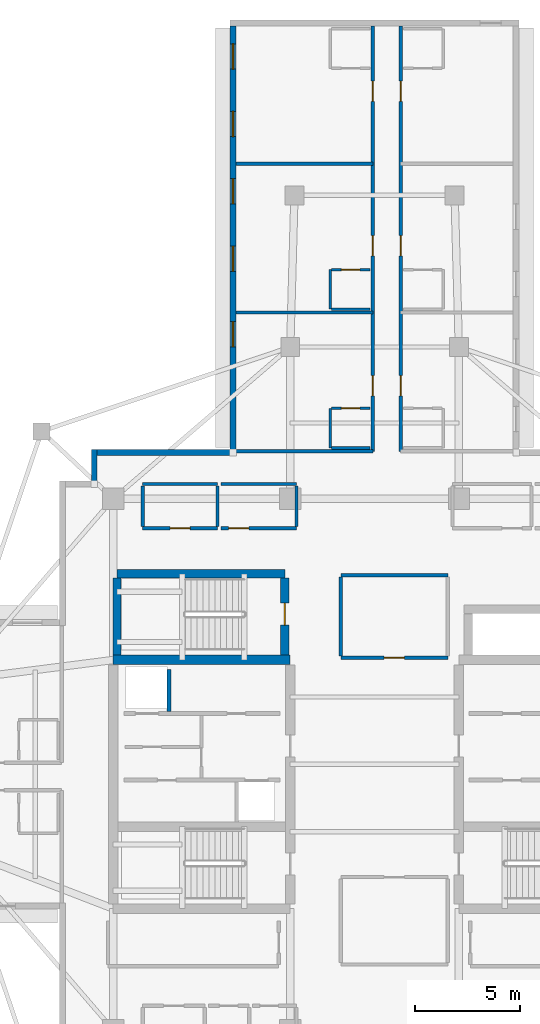
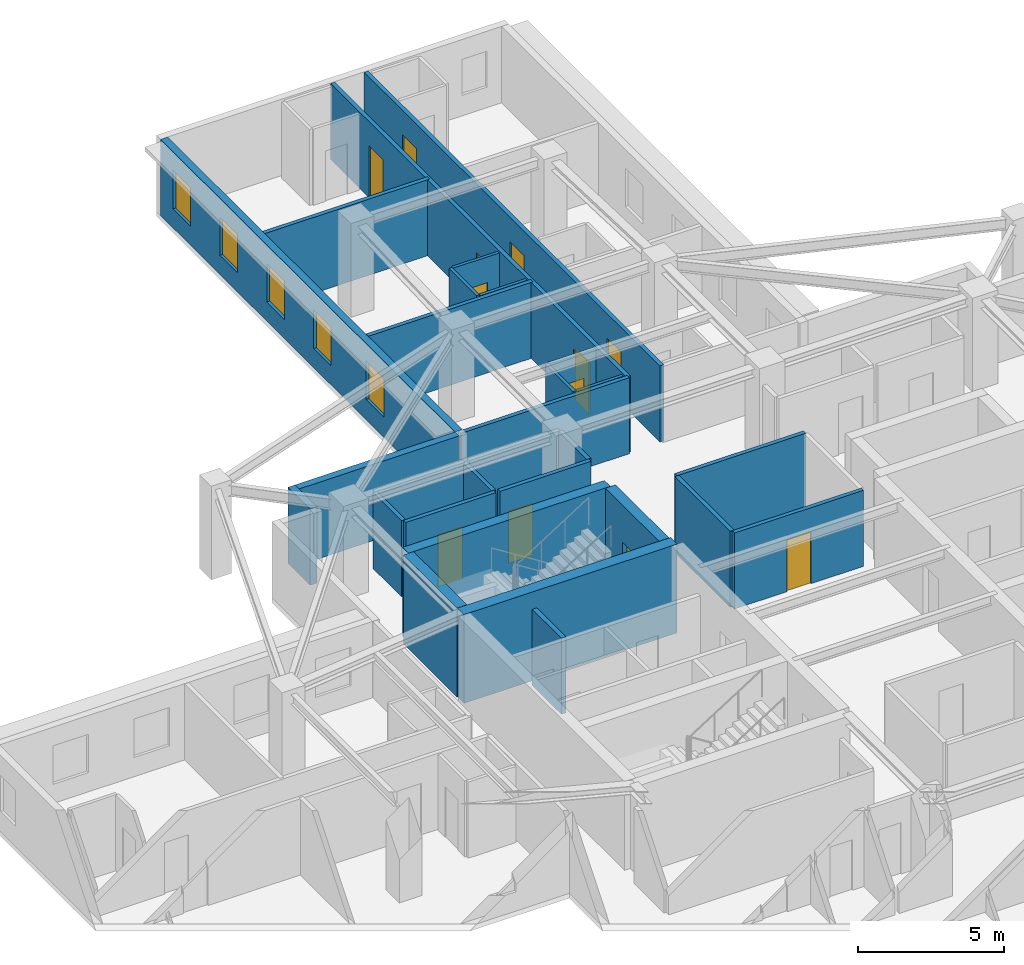
# One storey, part 7 of 13: 29 walls, 12 doors, 5 windows, 17 openings.
"""IFC4 building model written with IfcOpenShell, lengths in metres."""

from ifc_helpers import new_model, si_unit, direction, frame, frame_2d, origin, place, context, subcontext, project, spatial, rectangle, extrude, material, layer, layer_set, type_object, element, fill, save


model = new_model("IFC4")

# Units and contexts
model_context = context("Model", 3, precision=1e-05, world=origin(), true_north=direction((0.0, 1.0)))
body_context = subcontext(model_context, "Body", "Model", "MODEL_VIEW")
ifc_project = project(units=[si_unit("LENGTHUNIT", "METRE"), si_unit("AREAUNIT", "SQUARE_METRE"), si_unit("VOLUMEUNIT", "CUBIC_METRE"), si_unit("PLANEANGLEUNIT", "RADIAN"), si_unit("MASSUNIT", "GRAM", prefix="KILO")], contexts=[model_context])

# Site, building, storey
site_placement = place(None, origin())
site = spatial("IfcSite", under=ifc_project, at=site_placement, CompositionType="ELEMENT")
building_placement = place(site_placement, origin())
building = spatial("IfcBuilding", under=site, at=building_placement, Name="Qingluan Cross Belvedere", CompositionType="ELEMENT")
storey_placement = place(building_placement, frame((0.0, 0.0, 224.699951171875)))
storey = spatial("IfcBuildingStorey", under=building, at=storey_placement, Name="L56", CompositionType="ELEMENT", Elevation=224.699951171875)

# Walls
ifc_material_1 = material(Name="Concrete C50", Category="concrete")
ifc_layer_1 = layer(ifc_material_1, 0.449951171875, Name="CoreShearWall_450")
ifc_layer_set_1 = layer_set([ifc_layer_1], Name="Concrete C50")
wall_type_1 = type_object("IfcWallType", Name="CoreShearWall_450", PredefinedType="SHEAR", material=ifc_layer_set_1)
wall_1_placement = place(storey_placement, frame((-12.39990234375, 4.949951171875, 0.0), z_axis=(0.0, 0.0, 1.0), x_axis=(1.0, 0.0, 0.0)))
element("IfcWall", 1, at=wall_1_placement, inside=storey, type_object=wall_type_1, Name="Split core W shear wall L56-N", PredefinedType="SHEAR", context=body_context, shape_type="SweptSolid", body=[
    extrude(rectangle(XDim=8.39990234375, YDim=0.449951171875, at=frame_2d((4.199951171875, 0.0))), origin(), (0.0, 0.0, 1.0), 3.699951171875),
])
wall_2_placement = place(storey_placement, frame((-12.219970703125, 9.0400390625, 0.0), z_axis=(0.0, 0.0, 1.0), x_axis=(1.0, 0.0, 0.0)))
element("IfcWall", 2, at=wall_2_placement, inside=storey, type_object=wall_type_1, Name="Stair ST3 structural wall N L56", PredefinedType="SHEAR", context=body_context, shape_type="SweptSolid", body=[
    extrude(rectangle(XDim=7.9599609375, YDim=0.39990234375, at=frame_2d((3.97998046875, 0.0))), origin(), (0.0, 0.0, 1.0), 3.699951171875),
])
wall_3_placement = place(storey_placement, frame((-12.219970703125, 5.179931640625, 0.0), z_axis=(0.0, 0.0, 1.0), x_axis=(0.0, 1.0, 0.0)))
element("IfcWall", 3, at=wall_3_placement, inside=storey, type_object=wall_type_1, Name="Stair ST3 structural wall W L56", PredefinedType="SHEAR", context=body_context, shape_type="SweptSolid", body=[
    extrude(rectangle(XDim=3.655029296875, YDim=0.39990234375, at=frame_2d((1.82763671875, 0.0))), origin(), (0.0, 0.0, 1.0), 3.699951171875),
])

# Wall, opening, door
wall_4_placement = place(storey_placement, frame((-4.260009765625, 5.179931640625, 0.0), z_axis=(0.0, 0.0, 1.0), x_axis=(0.0, 1.0, 0.0)))
wall_4 = element("IfcWall", 4, at=wall_4_placement, inside=storey, type_object=wall_type_1, Name="Stair ST3 structural wall E L56", PredefinedType="SHEAR", context=body_context, shape_type="SweptSolid", body=[
    extrude(rectangle(XDim=3.655029296875, YDim=0.39990234375, at=frame_2d((1.82763671875, 0.0))), origin(), (0.0, 0.0, 1.0), 3.699951171875),
])
opening_1_placement = place(wall_4_placement, frame((1.419921875, 0.0, 0.0)))
opening_1 = element("IfcOpeningElement", 5, at=opening_1_placement, cuts=wall_4, Name="Opening FD-B11", PredefinedType="OPENING", context=body_context, shape_type="SweptSolid", body=[
    extrude(rectangle(XDim=1.050048828125, YDim=2.14990234375, at=frame_2d((0.52490234375, 1.074951171875))), frame((0.0, 0.2099609375, 0.0), z_axis=(0.0, -1.0, 0.0), x_axis=(1.0, 0.0, 0.0)), (0.0, 0.0, 1.0), 0.419921875),
])
ifc_material_2 = material(Name="Steel Class B smoke-seal fire door", Category="steel")
door_type_1 = type_object("IfcDoorType", Name="StairLobbyFireDoor_FDB", OperationType="NOTDEFINED", PredefinedType="DOOR", material=ifc_material_2)
door_1_placement = place(opening_1_placement, origin())
door_1 = element("IfcDoor", 6, at=door_1_placement, inside=storey, type_object=door_type_1, Name="Smoke-proof stair ST3 fire door L56", OperationType="SINGLE_SWING_RIGHT", OverallHeight=2.14990234375, OverallWidth=1.050048828125, PredefinedType="DOOR", context=body_context, shape_type="SweptSolid", body=[
    extrude(rectangle(XDim=1.050048828125, YDim=2.14990234375, at=frame_2d((0.52490234375, 1.074951171875))), frame((0.0, 0.02490234375, 0.0), z_axis=(0.0, -1.0, 0.0), x_axis=(1.0, 0.0, 0.0)), (0.0, 0.0, 1.0), 0.050048828125),
])
fill(opening_1, door_1)

ifc_material_3 = material(Name="Gypsum plasterboard on steel stud acoustic partition", Category="steel")
ifc_layer_2 = layer(ifc_material_3, 0.159912109375, Name="CorridorPartition_160")
ifc_layer_set_2 = layer_set([ifc_layer_2], Name="Gypsum plasterboard on steel stud acoustic partition")
wall_type_2 = type_object("IfcWallType", Name="CorridorPartition_160", PredefinedType="PARTITIONING", material=ifc_layer_set_2)
wall_5_placement = place(storey_placement, frame((-11.0, 11.199951171875, 0.0), z_axis=(0.0, 0.0, 1.0), x_axis=(1.0, 0.0, 0.0)))
wall_5 = element("IfcWall", 7, at=wall_5_placement, inside=storey, type_object=wall_type_2, Name="Partition L56:q_nw1:S", PredefinedType="PARTITIONING", context=body_context, shape_type="SweptSolid", body=[
    extrude(rectangle(XDim=3.550048828125, YDim=0.159912109375, at=frame_2d((1.77490234375, 0.0))), origin(), (0.0, 0.0, 1.0), 3.170166015625),
])
opening_2_placement = place(wall_5_placement, frame((1.294921875, 0.0, 0.0)))
opening_2 = element("IfcOpeningElement", 8, at=opening_2_placement, cuts=wall_5, Name="Opening GD-10", PredefinedType="OPENING", context=body_context, shape_type="SweptSolid", body=[
    extrude(rectangle(XDim=0.9599609375, YDim=2.14990234375, at=frame_2d((0.47998046875, 1.074951171875))), frame((0.0, 0.08984375, 0.0), z_axis=(0.0, -1.0, 0.0), x_axis=(1.0, 0.0, 0.0)), (0.0, 0.0, 1.0), 0.179931640625),
])
ifc_material_4 = material(Name="Timber oak fire-rated acoustic guestroom door", Category="wood")
door_type_2 = type_object("IfcDoorType", Name="GuestEntryDoor_FD60", OperationType="NOTDEFINED", PredefinedType="DOOR", material=ifc_material_4)
door_2_placement = place(opening_2_placement, origin())
door_2 = element("IfcDoor", 9, at=door_2_placement, inside=storey, type_object=door_type_2, Name="Northwest sky parlor L56 door", OperationType="SINGLE_SWING_RIGHT", OverallHeight=2.14990234375, OverallWidth=0.9599609375, PredefinedType="DOOR", context=body_context, shape_type="SweptSolid", body=[
    extrude(rectangle(XDim=0.9599609375, YDim=2.14990234375, at=frame_2d((0.47998046875, 1.074951171875))), frame((0.0, 0.02490234375, 0.0), z_axis=(0.0, -1.0, 0.0), x_axis=(1.0, 0.0, 0.0)), (0.0, 0.0, 1.0), 0.050048828125),
])
fill(opening_2, door_2)

# Walls
wall_6_placement = place(storey_placement, frame((-11.0, 13.300048828125, 0.0), z_axis=(0.0, 0.0, 1.0), x_axis=(1.0, 0.0, 0.0)))
element("IfcWall", 10, at=wall_6_placement, inside=storey, type_object=wall_type_2, Name="Partition L56:q_nw1:N", PredefinedType="PARTITIONING", context=body_context, shape_type="SweptSolid", body=[
    extrude(rectangle(XDim=3.550048828125, YDim=0.159912109375, at=frame_2d((1.77490234375, 0.0))), origin(), (0.0, 0.0, 1.0), 3.170166015625),
])
for number, where, z_axis, x_axis, name in (
    (11, (-11.0, 11.284912109375, 0.0), (0.0, 0.0, 1.0), (0.0, 1.0, 0.0), "Partition L56:q_nw1:W"),
    (12, (-7.449951171875, 11.284912109375, 0.0), (0.0, 0.0, 1.0), (0.0, 1.0, 0.0), "Partition L56:q_nw1:E"),
):
    element("IfcWall", number, at=place(storey_placement, frame(where, z_axis=z_axis, x_axis=x_axis)), inside=storey, type_object=wall_type_2, Name=name, PredefinedType="PARTITIONING", context=body_context, shape_type="SweptSolid", body=[
        extrude(rectangle(XDim=1.93017578125, YDim=0.159912109375, at=frame_2d((0.965087890625, 0.0))), origin(), (0.0, 0.0, 1.0), 3.170166015625),
    ])

# Wall, opening, door
wall_7_placement = place(storey_placement, frame((-7.2900390625, 11.199951171875, 0.0), z_axis=(0.0, 0.0, 1.0), x_axis=(1.0, 0.0, 0.0)))
wall_7 = element("IfcWall", 13, at=wall_7_placement, inside=storey, type_object=wall_type_2, Name="Partition L56:q_nw2:S", PredefinedType="PARTITIONING", context=body_context, shape_type="SweptSolid", body=[
    extrude(rectangle(XDim=3.590087890625, YDim=0.159912109375, at=frame_2d((1.794921875, 0.0))), origin(), (0.0, 0.0, 1.0), 3.170166015625),
])
opening_3_placement = place(wall_7_placement, frame((0.364990234375, 0.0, 0.0)))
opening_3 = element("IfcOpeningElement", 14, at=opening_3_placement, cuts=wall_7, Name="Opening GD-10", PredefinedType="OPENING", context=body_context, shape_type="SweptSolid", body=[
    extrude(rectangle(XDim=0.9599609375, YDim=2.14990234375, at=frame_2d((0.47998046875, 1.074951171875))), frame((0.0, 0.08984375, 0.0), z_axis=(0.0, -1.0, 0.0), x_axis=(1.0, 0.0, 0.0)), (0.0, 0.0, 1.0), 0.179931640625),
])
door_3_placement = place(opening_3_placement, origin())
door_3 = element("IfcDoor", 15, at=door_3_placement, inside=storey, type_object=door_type_2, Name="Northwest study salon L56 door", OperationType="SINGLE_SWING_LEFT", OverallHeight=2.14990234375, OverallWidth=0.9599609375, PredefinedType="DOOR", context=body_context, shape_type="SweptSolid", body=[
    extrude(rectangle(XDim=0.9599609375, YDim=2.14990234375, at=frame_2d((0.47998046875, 1.074951171875))), frame((0.0, 0.02490234375, 0.0), z_axis=(0.0, -1.0, 0.0), x_axis=(1.0, 0.0, 0.0)), (0.0, 0.0, 1.0), 0.050048828125),
])
fill(opening_3, door_3)

# Walls
wall_8_placement = place(storey_placement, frame((-7.2900390625, 13.300048828125, 0.0), z_axis=(0.0, 0.0, 1.0), x_axis=(1.0, 0.0, 0.0)))
element("IfcWall", 16, at=wall_8_placement, inside=storey, type_object=wall_type_2, Name="Partition L56:q_nw2:N", PredefinedType="PARTITIONING", context=body_context, shape_type="SweptSolid", body=[
    extrude(rectangle(XDim=3.590087890625, YDim=0.159912109375, at=frame_2d((1.794921875, 0.0))), origin(), (0.0, 0.0, 1.0), 3.170166015625),
])
wall_9_placement = place(storey_placement, frame((-3.699951171875, 11.284912109375, 0.0), z_axis=(0.0, 0.0, 1.0), x_axis=(0.0, 1.0, 0.0)))
element("IfcWall", 17, at=wall_9_placement, inside=storey, type_object=wall_type_2, Name="Partition L56:q_nw2:E", PredefinedType="PARTITIONING", context=body_context, shape_type="SweptSolid", body=[
    extrude(rectangle(XDim=1.93017578125, YDim=0.159912109375, at=frame_2d((0.965087890625, 0.0))), origin(), (0.0, 0.0, 1.0), 3.170166015625),
])

# Wall, opening, door
wall_10_placement = place(storey_placement, frame((-1.60009765625, 5.050048828125, 0.0), z_axis=(0.0, 0.0, 1.0), x_axis=(1.0, 0.0, 0.0)))
wall_10 = element("IfcWall", 18, at=wall_10_placement, inside=storey, type_object=wall_type_2, Name="Partition L56:sky_tea_alcove:S", PredefinedType="PARTITIONING", context=body_context, shape_type="SweptSolid", body=[
    extrude(rectangle(XDim=5.080078125, YDim=0.159912109375, at=frame_2d((2.5400390625, 0.0))), origin(), (0.0, 0.0, 1.0), 3.170166015625),
])
opening_4_placement = place(wall_10_placement, frame((2.06005859375, 0.0, 0.0)))
opening_4 = element("IfcOpeningElement", 19, at=opening_4_placement, cuts=wall_10, Name="Opening GD-10", PredefinedType="OPENING", context=body_context, shape_type="SweptSolid", body=[
    extrude(rectangle(XDim=0.9599609375, YDim=2.14990234375, at=frame_2d((0.47998046875, 1.074951171875))), frame((0.0, 0.08984375, 0.0), z_axis=(0.0, -1.0, 0.0), x_axis=(1.0, 0.0, 0.0)), (0.0, 0.0, 1.0), 0.179931640625),
])
door_4_placement = place(opening_4_placement, origin())
door_4 = element("IfcDoor", 20, at=door_4_placement, inside=storey, type_object=door_type_2, Name="Sky horizon tea salon L56 door", OperationType="SINGLE_SWING_LEFT", OverallHeight=2.14990234375, OverallWidth=0.9599609375, PredefinedType="DOOR", context=body_context, shape_type="SweptSolid", body=[
    extrude(rectangle(XDim=0.9599609375, YDim=2.14990234375, at=frame_2d((0.47998046875, 1.074951171875))), frame((0.0, 0.02490234375, 0.0), z_axis=(0.0, -1.0, 0.0), x_axis=(1.0, 0.0, 0.0)), (0.0, 0.0, 1.0), 0.050048828125),
])
fill(opening_4, door_4)

# Walls
wall_11_placement = place(storey_placement, frame((-1.60009765625, 8.97998046875, 0.0), z_axis=(0.0, 0.0, 1.0), x_axis=(1.0, 0.0, 0.0)))
element("IfcWall", 21, at=wall_11_placement, inside=storey, type_object=wall_type_2, Name="Partition L56:sky_tea_alcove:N", PredefinedType="PARTITIONING", context=body_context, shape_type="SweptSolid", body=[
    extrude(rectangle(XDim=5.080078125, YDim=0.159912109375, at=frame_2d((2.5400390625, 0.0))), origin(), (0.0, 0.0, 1.0), 3.170166015625),
])
wall_12_placement = place(storey_placement, frame((-1.60009765625, 5.135009765625, 0.0), z_axis=(0.0, 0.0, 1.0), x_axis=(0.0, 1.0, 0.0)))
element("IfcWall", 22, at=wall_12_placement, inside=storey, type_object=wall_type_2, Name="Partition L56:sky_tea_alcove:W", PredefinedType="PARTITIONING", context=body_context, shape_type="SweptSolid", body=[
    extrude(rectangle(XDim=3.760009765625, YDim=0.159912109375, at=frame_2d((1.8798828125, 0.0))), origin(), (0.0, 0.0, 1.0), 3.170166015625),
])

# Wall, openings, doors
wall_13_placement = place(storey_placement, frame((1.239990234375, 14.85009765625, 0.0), z_axis=(0.0, 0.0, 1.0), x_axis=(0.0, 1.0, 0.0)))
wall_13 = element("IfcWall", 23, at=wall_13_placement, inside=storey, type_object=wall_type_2, Name="Partition L56:N:c0", PredefinedType="PARTITIONING", context=body_context, shape_type="SweptSolid", body=[
    extrude(rectangle(XDim=20.181884765625, YDim=0.159912109375, at=frame_2d((10.0908203125, 0.0))), origin(), (0.0, 0.0, 1.0), 3.170166015625),
])
opening_5_placement = place(wall_13_placement, frame((2.638916015625, 0.0, 0.0)))
opening_5 = element("IfcOpeningElement", 24, at=opening_5_placement, cuts=wall_13, Name="Opening GD-10", PredefinedType="OPENING", context=body_context, shape_type="SweptSolid", body=[
    extrude(rectangle(XDim=0.9599609375, YDim=2.14990234375, at=frame_2d((0.47998046875, 1.074951171875))), frame((0.0, 0.08984375, 0.0), z_axis=(0.0, -1.0, 0.0), x_axis=(1.0, 0.0, 0.0)), (0.0, 0.0, 1.0), 0.179931640625),
])
opening_6_placement = place(wall_13_placement, frame((9.27294921875, 0.0, 0.0)))
opening_6 = element("IfcOpeningElement", 25, at=opening_6_placement, cuts=wall_13, Name="Opening GD-10", PredefinedType="OPENING", context=body_context, shape_type="SweptSolid", body=[
    extrude(rectangle(XDim=0.9599609375, YDim=2.14990234375, at=frame_2d((0.47998046875, 1.074951171875))), frame((0.0, 0.08984375, 0.0), z_axis=(0.0, -1.0, 0.0), x_axis=(1.0, 0.0, 0.0)), (0.0, 0.0, 1.0), 0.179931640625),
])
opening_7_placement = place(wall_13_placement, frame((16.614013671875, 0.0, 0.0)))
opening_7 = element("IfcOpeningElement", 26, at=opening_7_placement, cuts=wall_13, Name="Opening GD-10", PredefinedType="OPENING", context=body_context, shape_type="SweptSolid", body=[
    extrude(rectangle(XDim=0.9599609375, YDim=2.14990234375, at=frame_2d((0.47998046875, 1.074951171875))), frame((0.0, 0.08984375, 0.0), z_axis=(0.0, -1.0, 0.0), x_axis=(1.0, 0.0, 0.0)), (0.0, 0.0, 1.0), 0.179931640625),
])
door_5_placement = place(opening_5_placement, origin())
door_5 = element("IfcDoor", 27, at=door_5_placement, inside=storey, type_object=door_type_2, Name="Guest entry fire door 5609", OperationType="SINGLE_SWING_LEFT", OverallHeight=2.14990234375, OverallWidth=0.9599609375, PredefinedType="DOOR", context=body_context, shape_type="SweptSolid", body=[
    extrude(rectangle(XDim=0.9599609375, YDim=2.14990234375, at=frame_2d((0.47998046875, 1.074951171875))), frame((0.0, 0.02490234375, 0.0), z_axis=(0.0, -1.0, 0.0), x_axis=(1.0, 0.0, 0.0)), (0.0, 0.0, 1.0), 0.050048828125),
])
fill(opening_5, door_5)
door_6_placement = place(opening_6_placement, origin())
door_6 = element("IfcDoor", 28, at=door_6_placement, inside=storey, type_object=door_type_2, Name="Guest entry fire door 5610", OperationType="SINGLE_SWING_LEFT", OverallHeight=2.14990234375, OverallWidth=0.9599609375, PredefinedType="DOOR", context=body_context, shape_type="SweptSolid", body=[
    extrude(rectangle(XDim=0.9599609375, YDim=2.14990234375, at=frame_2d((0.47998046875, 1.074951171875))), frame((0.0, 0.02490234375, 0.0), z_axis=(0.0, -1.0, 0.0), x_axis=(1.0, 0.0, 0.0)), (0.0, 0.0, 1.0), 0.050048828125),
])
fill(opening_6, door_6)
door_7_placement = place(opening_7_placement, origin())
door_7 = element("IfcDoor", 29, at=door_7_placement, inside=storey, type_object=door_type_2, Name="Guest entry fire door 5611", OperationType="SINGLE_SWING_LEFT", OverallHeight=2.14990234375, OverallWidth=0.9599609375, PredefinedType="DOOR", context=body_context, shape_type="SweptSolid", body=[
    extrude(rectangle(XDim=0.9599609375, YDim=2.14990234375, at=frame_2d((0.47998046875, 1.074951171875))), frame((0.0, 0.02490234375, 0.0), z_axis=(0.0, -1.0, 0.0), x_axis=(1.0, 0.0, 0.0)), (0.0, 0.0, 1.0), 0.050048828125),
])
fill(opening_7, door_7)

wall_14_placement = place(storey_placement, frame((-0.080078125, 14.85009765625, 0.0), z_axis=(0.0, 0.0, 1.0), x_axis=(0.0, 1.0, 0.0)))
wall_14 = element("IfcWall", 30, at=wall_14_placement, inside=storey, type_object=wall_type_2, Name="Partition L56:N:c1", PredefinedType="PARTITIONING", context=body_context, shape_type="SweptSolid", body=[
    extrude(rectangle(XDim=20.181884765625, YDim=0.159912109375, at=frame_2d((10.0908203125, 0.0))), origin(), (0.0, 0.0, 1.0), 3.170166015625),
])
opening_8_placement = place(wall_14_placement, frame((2.638916015625, 0.0, 0.0)))
opening_8 = element("IfcOpeningElement", 31, at=opening_8_placement, cuts=wall_14, Name="Opening GD-10", PredefinedType="OPENING", context=body_context, shape_type="SweptSolid", body=[
    extrude(rectangle(XDim=0.9599609375, YDim=2.14990234375, at=frame_2d((0.47998046875, 1.074951171875))), frame((0.0, 0.08984375, 0.0), z_axis=(0.0, -1.0, 0.0), x_axis=(1.0, 0.0, 0.0)), (0.0, 0.0, 1.0), 0.179931640625),
])
opening_9_placement = place(wall_14_placement, frame((9.27294921875, 0.0, 0.0)))
opening_9 = element("IfcOpeningElement", 32, at=opening_9_placement, cuts=wall_14, Name="Opening GD-10", PredefinedType="OPENING", context=body_context, shape_type="SweptSolid", body=[
    extrude(rectangle(XDim=0.9599609375, YDim=2.14990234375, at=frame_2d((0.47998046875, 1.074951171875))), frame((0.0, 0.08984375, 0.0), z_axis=(0.0, -1.0, 0.0), x_axis=(1.0, 0.0, 0.0)), (0.0, 0.0, 1.0), 0.179931640625),
])
opening_10_placement = place(wall_14_placement, frame((16.614013671875, 0.0, 0.0)))
opening_10 = element("IfcOpeningElement", 33, at=opening_10_placement, cuts=wall_14, Name="Opening GD-10", PredefinedType="OPENING", context=body_context, shape_type="SweptSolid", body=[
    extrude(rectangle(XDim=0.9599609375, YDim=2.14990234375, at=frame_2d((0.47998046875, 1.074951171875))), frame((0.0, 0.08984375, 0.0), z_axis=(0.0, -1.0, 0.0), x_axis=(1.0, 0.0, 0.0)), (0.0, 0.0, 1.0), 0.179931640625),
])
door_8_placement = place(opening_8_placement, origin())
door_8 = element("IfcDoor", 34, at=door_8_placement, inside=storey, type_object=door_type_2, Name="Guest entry fire door 5612", OperationType="SINGLE_SWING_LEFT", OverallHeight=2.14990234375, OverallWidth=0.9599609375, PredefinedType="DOOR", context=body_context, shape_type="SweptSolid", body=[
    extrude(rectangle(XDim=0.9599609375, YDim=2.14990234375, at=frame_2d((0.47998046875, 1.074951171875))), frame((0.0, 0.02490234375, 0.0), z_axis=(0.0, -1.0, 0.0), x_axis=(1.0, 0.0, 0.0)), (0.0, 0.0, 1.0), 0.050048828125),
])
fill(opening_8, door_8)
door_9_placement = place(opening_9_placement, origin())
door_9 = element("IfcDoor", 35, at=door_9_placement, inside=storey, type_object=door_type_2, Name="Guest entry fire door 5613", OperationType="SINGLE_SWING_LEFT", OverallHeight=2.14990234375, OverallWidth=0.9599609375, PredefinedType="DOOR", context=body_context, shape_type="SweptSolid", body=[
    extrude(rectangle(XDim=0.9599609375, YDim=2.14990234375, at=frame_2d((0.47998046875, 1.074951171875))), frame((0.0, 0.02490234375, 0.0), z_axis=(0.0, -1.0, 0.0), x_axis=(1.0, 0.0, 0.0)), (0.0, 0.0, 1.0), 0.050048828125),
])
fill(opening_9, door_9)
door_10_placement = place(opening_10_placement, origin())
door_10 = element("IfcDoor", 36, at=door_10_placement, inside=storey, type_object=door_type_2, Name="Guest entry fire door 5614", OperationType="SINGLE_SWING_LEFT", OverallHeight=2.14990234375, OverallWidth=0.9599609375, PredefinedType="DOOR", context=body_context, shape_type="SweptSolid", body=[
    extrude(rectangle(XDim=0.9599609375, YDim=2.14990234375, at=frame_2d((0.47998046875, 1.074951171875))), frame((0.0, 0.02490234375, 0.0), z_axis=(0.0, -1.0, 0.0), x_axis=(1.0, 0.0, 0.0)), (0.0, 0.0, 1.0), 0.050048828125),
])
fill(opening_10, door_10)

# Walls
wall_15_placement = place(storey_placement, frame((-0.080078125, 14.85009765625, 0.0), z_axis=(0.0, 0.0, 1.0), x_axis=(-1.0, 0.0, 0.0)))
element("IfcWall", 37, at=wall_15_placement, inside=storey, type_object=wall_type_2, Name="Partition L56:N:s1", PredefinedType="PARTITIONING", context=body_context, shape_type="SweptSolid", body=[
    extrude(rectangle(XDim=6.639892578125, YDim=0.159912109375, at=frame_2d((3.31982421875, 0.0))), origin(), (0.0, 0.0, 1.0), 3.170166015625),
])
for number, where, z_axis, x_axis, name in (
    (38, (-0.080078125, 21.43701171875, 0.0), (0.0, 0.0, 1.0), (-1.0, 0.0, 0.0), "Partition L56:N:d1_0"),
    (39, (-0.080078125, 28.4951171875, 0.0), (0.0, 0.0, 1.0), (-1.0, 0.0, 0.0), "Partition L56:N:d1_1"),
):
    element("IfcWall", number, at=place(storey_placement, frame(where, z_axis=z_axis, x_axis=x_axis)), inside=storey, type_object=wall_type_2, Name=name, PredefinedType="PARTITIONING", context=body_context, shape_type="SweptSolid", body=[
        extrude(rectangle(XDim=6.491943359375, YDim=0.159912109375, at=frame_2d((3.24609375, 0.0))), origin(), (0.0, 0.0, 1.0), 3.170166015625),
    ])

# Wall, opening, door
ifc_material_5 = material(Name="Moisture-resistant gypsum board lining")
ifc_layer_3 = layer(ifc_material_5, 0.1201171875, Name="EnsuiteWetPartition_120")
ifc_layer_set_3 = layer_set([ifc_layer_3], Name="Moisture-resistant gypsum board lining")
wall_type_3 = type_object("IfcWallType", Name="EnsuiteWetPartition_120", PredefinedType="PARTITIONING", material=ifc_layer_set_3)
wall_16_placement = place(storey_placement, frame((-2.0400390625, 16.889892578125, 0.0), z_axis=(0.0, 0.0, 1.0), x_axis=(1.0, 0.0, 0.0)))
wall_16 = element("IfcWall", 40, at=wall_16_placement, inside=storey, type_object=wall_type_3, Name="Partition L56:N:bs1_0", PredefinedType="PARTITIONING", context=body_context, shape_type="SweptSolid", body=[
    extrude(rectangle(XDim=1.820068359375, YDim=0.1201171875, at=frame_2d((0.91015625, 0.0))), origin(), (0.0, 0.0, 1.0), 3.170166015625),
])
opening_11_placement = place(wall_16_placement, frame((0.469970703125, 0.0, 0.0)))
opening_11 = element("IfcOpeningElement", 41, at=opening_11_placement, cuts=wall_16, Name="Opening BD-09", PredefinedType="OPENING", context=body_context, shape_type="SweptSolid", body=[
    extrude(rectangle(XDim=0.8798828125, YDim=2.10009765625, at=frame_2d((0.43994140625, 1.050048828125))), frame((0.0, 0.070068359375, 0.0), z_axis=(0.0, -1.0, 0.0), x_axis=(1.0, 0.0, 0.0)), (0.0, 0.0, 1.0), 0.14013671875),
])
ifc_material_6 = material(Name="Moisture-sealed timber en-suite door", Category="wood")
door_type_3 = type_object("IfcDoorType", Name="BathroomDoor_880", OperationType="NOTDEFINED", PredefinedType="DOOR", material=ifc_material_6)
door_11_placement = place(opening_11_placement, origin())
door_11 = element("IfcDoor", 42, at=door_11_placement, inside=storey, type_object=door_type_3, Name="Bathroom door 5612", OperationType="SINGLE_SWING_RIGHT", OverallHeight=2.10009765625, OverallWidth=0.8798828125, PredefinedType="DOOR", context=body_context, shape_type="SweptSolid", body=[
    extrude(rectangle(XDim=0.8798828125, YDim=2.10009765625, at=frame_2d((0.43994140625, 1.050048828125))), frame((0.0, 0.02490234375, 0.0), z_axis=(0.0, -1.0, 0.0), x_axis=(1.0, 0.0, 0.0)), (0.0, 0.0, 1.0), 0.050048828125),
])
fill(opening_11, door_11)

# Walls
wall_17_placement = place(storey_placement, frame((-2.0400390625, 15.010009765625, 0.0), z_axis=(0.0, 0.0, 1.0), x_axis=(1.0, 0.0, 0.0)))
element("IfcWall", 43, at=wall_17_placement, inside=storey, type_object=wall_type_3, Name="Partition L56:N:bw1_0", PredefinedType="PARTITIONING", context=body_context, shape_type="SweptSolid", body=[
    extrude(rectangle(XDim=1.820068359375, YDim=0.1201171875, at=frame_2d((0.91015625, 0.0))), origin(), (0.0, 0.0, 1.0), 3.170166015625),
])
wall_18_placement = place(storey_placement, frame((-2.10498046875, 15.010009765625, 0.0), z_axis=(0.0, 0.0, 1.0), x_axis=(0.0, 1.0, 0.0)))
element("IfcWall", 44, at=wall_18_placement, inside=storey, type_object=wall_type_3, Name="Partition L56:N:bc1_0", PredefinedType="PARTITIONING", context=body_context, shape_type="SweptSolid", body=[
    extrude(rectangle(XDim=1.8798828125, YDim=0.1201171875, at=frame_2d((0.93994140625, 0.0))), origin(), (0.0, 0.0, 1.0), 3.170166015625),
])

# Wall, opening, door
wall_19_placement = place(storey_placement, frame((-2.0400390625, 23.47705078125, 0.0), z_axis=(0.0, 0.0, 1.0), x_axis=(1.0, 0.0, 0.0)))
wall_19 = element("IfcWall", 45, at=wall_19_placement, inside=storey, type_object=wall_type_3, Name="Partition L56:N:bs1_1", PredefinedType="PARTITIONING", context=body_context, shape_type="SweptSolid", body=[
    extrude(rectangle(XDim=1.820068359375, YDim=0.1201171875, at=frame_2d((0.91015625, 0.0))), origin(), (0.0, 0.0, 1.0), 3.170166015625),
])
opening_12_placement = place(wall_19_placement, frame((0.469970703125, 0.0, 0.0)))
opening_12 = element("IfcOpeningElement", 46, at=opening_12_placement, cuts=wall_19, Name="Opening BD-09", PredefinedType="OPENING", context=body_context, shape_type="SweptSolid", body=[
    extrude(rectangle(XDim=0.8798828125, YDim=2.10009765625, at=frame_2d((0.43994140625, 1.050048828125))), frame((0.0, 0.070068359375, 0.0), z_axis=(0.0, -1.0, 0.0), x_axis=(1.0, 0.0, 0.0)), (0.0, 0.0, 1.0), 0.14013671875),
])
door_12_placement = place(opening_12_placement, origin())
door_12 = element("IfcDoor", 47, at=door_12_placement, inside=storey, type_object=door_type_3, Name="Bathroom door 5613", OperationType="SINGLE_SWING_RIGHT", OverallHeight=2.10009765625, OverallWidth=0.8798828125, PredefinedType="DOOR", context=body_context, shape_type="SweptSolid", body=[
    extrude(rectangle(XDim=0.8798828125, YDim=2.10009765625, at=frame_2d((0.43994140625, 1.050048828125))), frame((0.0, 0.02490234375, 0.0), z_axis=(0.0, -1.0, 0.0), x_axis=(1.0, 0.0, 0.0)), (0.0, 0.0, 1.0), 0.050048828125),
])
fill(opening_12, door_12)

# Walls
wall_20_placement = place(storey_placement, frame((-2.0400390625, 21.596923828125, 0.0), z_axis=(0.0, 0.0, 1.0), x_axis=(1.0, 0.0, 0.0)))
element("IfcWall", 48, at=wall_20_placement, inside=storey, type_object=wall_type_3, Name="Partition L56:N:bw1_1", PredefinedType="PARTITIONING", context=body_context, shape_type="SweptSolid", body=[
    extrude(rectangle(XDim=1.820068359375, YDim=0.1201171875, at=frame_2d((0.91015625, 0.0))), origin(), (0.0, 0.0, 1.0), 3.170166015625),
])
wall_21_placement = place(storey_placement, frame((-2.10498046875, 21.596923828125, 0.0), z_axis=(0.0, 0.0, 1.0), x_axis=(0.0, 1.0, 0.0)))
element("IfcWall", 49, at=wall_21_placement, inside=storey, type_object=wall_type_3, Name="Partition L56:N:bc1_1", PredefinedType="PARTITIONING", context=body_context, shape_type="SweptSolid", body=[
    extrude(rectangle(XDim=1.880126953125, YDim=0.1201171875, at=frame_2d((0.93994140625, 0.0))), origin(), (0.0, 0.0, 1.0), 3.170166015625),
])

# Wall, openings, windows
ifc_material_7 = material(Name="Precast concrete C45", Category="concrete")
ifc_layer_4 = layer(ifc_material_7, 0.280029296875, Name="PrecastFacadeWall_280")
ifc_layer_set_4 = layer_set([ifc_layer_4], Name="Precast concrete C45")
wall_type_4 = type_object("IfcWallType", Name="PrecastFacadeWall_280", PredefinedType="STANDARD", material=ifc_layer_set_4)
wall_22_placement = place(storey_placement, frame((-6.719970703125, 35.0400390625, 0.0), z_axis=(0.0, 0.0, 1.0), x_axis=(0.0, -1.0, 0.0)))
wall_22 = element("IfcWall", 50, at=wall_22_placement, inside=storey, type_object=wall_type_4, Name="Facade wall L56-NB", PredefinedType="STANDARD", context=body_context, shape_type="SweptSolid", body=[
    extrude(rectangle(XDim=20.10009765625, YDim=0.280029296875, at=frame_2d((10.050048828125, 0.0))), origin(), (0.0, 0.0, 1.0), 3.179931640625),
])
opening_13_placement = place(wall_22_placement, frame((0.85009765625, 0.0, 0.800048828125)))
opening_13 = element("IfcOpeningElement", 51, at=opening_13_placement, cuts=wall_22, Name="Opening W-02", PredefinedType="OPENING", context=body_context, shape_type="SweptSolid", body=[
    extrude(rectangle(XDim=1.199951171875, YDim=1.60009765625, at=frame_2d((0.60009765625, 0.800048828125))), frame((0.0, 0.14990234375, 0.0), z_axis=(0.0, -1.0, 0.0), x_axis=(1.0, 0.0, 0.0)), (0.0, 0.0, 1.0), 0.300048828125),
])
opening_14_placement = place(wall_22_placement, frame((4.050048828125, 0.0, 0.800048828125)))
opening_14 = element("IfcOpeningElement", 52, at=opening_14_placement, cuts=wall_22, Name="Opening W-02", PredefinedType="OPENING", context=body_context, shape_type="SweptSolid", body=[
    extrude(rectangle(XDim=1.199951171875, YDim=1.60009765625, at=frame_2d((0.60009765625, 0.800048828125))), frame((0.0, 0.14990234375, 0.0), z_axis=(0.0, -1.0, 0.0), x_axis=(1.0, 0.0, 0.0)), (0.0, 0.0, 1.0), 0.300048828125),
])
opening_15_placement = place(wall_22_placement, frame((7.25, 0.0, 0.800048828125)))
opening_15 = element("IfcOpeningElement", 53, at=opening_15_placement, cuts=wall_22, Name="Opening W-02", PredefinedType="OPENING", context=body_context, shape_type="SweptSolid", body=[
    extrude(rectangle(XDim=1.199951171875, YDim=1.60009765625, at=frame_2d((0.60009765625, 0.800048828125))), frame((0.0, 0.14990234375, 0.0), z_axis=(0.0, -1.0, 0.0), x_axis=(1.0, 0.0, 0.0)), (0.0, 0.0, 1.0), 0.300048828125),
])
opening_16_placement = place(wall_22_placement, frame((10.449951171875, 0.0, 0.800048828125)))
opening_16 = element("IfcOpeningElement", 54, at=opening_16_placement, cuts=wall_22, Name="Opening W-02", PredefinedType="OPENING", context=body_context, shape_type="SweptSolid", body=[
    extrude(rectangle(XDim=1.199951171875, YDim=1.60009765625, at=frame_2d((0.60009765625, 0.800048828125))), frame((0.0, 0.14990234375, 0.0), z_axis=(0.0, -1.0, 0.0), x_axis=(1.0, 0.0, 0.0)), (0.0, 0.0, 1.0), 0.300048828125),
])
opening_17_placement = place(wall_22_placement, frame((14.034912109375, 0.0, 0.85009765625)))
opening_17 = element("IfcOpeningElement", 55, at=opening_17_placement, cuts=wall_22, Name="Opening W-02", PredefinedType="OPENING", context=body_context, shape_type="SweptSolid", body=[
    extrude(rectangle(XDim=1.199951171875, YDim=1.60009765625, at=frame_2d((0.60009765625, 0.800048828125))), frame((0.0, 0.14990234375, 0.0), z_axis=(0.0, -1.0, 0.0), x_axis=(1.0, 0.0, 0.0)), (0.0, 0.0, 1.0), 0.300048828125),
])
ifc_material_8 = material(Name="Thermally broken triple Low-E glass in aluminium frame", Category="aluminium")
window_type = type_object("IfcWindowType", Name="TriRibbonWin_1200x1600", PartitioningType="SINGLE_PANEL", PredefinedType="WINDOW", material=ifc_material_8)
window_1_placement = place(opening_13_placement, origin())
window_1 = element("IfcWindow", 56, at=window_1_placement, inside=storey, type_object=window_type, Name="Ribbon window L56-NB-1", OverallHeight=1.60009765625, OverallWidth=1.199951171875, PartitioningType="SINGLE_PANEL", PredefinedType="WINDOW", context=body_context, shape_type="SweptSolid", body=[
    extrude(rectangle(XDim=1.199951171875, YDim=1.60009765625, at=frame_2d((0.60009765625, 0.800048828125))), frame((0.0, 0.030029296875, 0.0), z_axis=(0.0, -1.0, 0.0), x_axis=(1.0, 0.0, 0.0)), (0.0, 0.0, 1.0), 0.06005859375),
])
fill(opening_13, window_1)
window_2_placement = place(opening_14_placement, origin())
window_2 = element("IfcWindow", 57, at=window_2_placement, inside=storey, type_object=window_type, Name="Ribbon window L56-NB-2", OverallHeight=1.60009765625, OverallWidth=1.199951171875, PartitioningType="SINGLE_PANEL", PredefinedType="WINDOW", context=body_context, shape_type="SweptSolid", body=[
    extrude(rectangle(XDim=1.199951171875, YDim=1.60009765625, at=frame_2d((0.60009765625, 0.800048828125))), frame((0.0, 0.030029296875, 0.0), z_axis=(0.0, -1.0, 0.0), x_axis=(1.0, 0.0, 0.0)), (0.0, 0.0, 1.0), 0.06005859375),
])
fill(opening_14, window_2)
window_3_placement = place(opening_15_placement, origin())
window_3 = element("IfcWindow", 58, at=window_3_placement, inside=storey, type_object=window_type, Name="Ribbon window L56-NB-3", OverallHeight=1.60009765625, OverallWidth=1.199951171875, PartitioningType="SINGLE_PANEL", PredefinedType="WINDOW", context=body_context, shape_type="SweptSolid", body=[
    extrude(rectangle(XDim=1.199951171875, YDim=1.60009765625, at=frame_2d((0.60009765625, 0.800048828125))), frame((0.0, 0.030029296875, 0.0), z_axis=(0.0, -1.0, 0.0), x_axis=(1.0, 0.0, 0.0)), (0.0, 0.0, 1.0), 0.06005859375),
])
fill(opening_15, window_3)
window_4_placement = place(opening_16_placement, origin())
window_4 = element("IfcWindow", 59, at=window_4_placement, inside=storey, type_object=window_type, Name="Ribbon window L56-NB-4", OverallHeight=1.60009765625, OverallWidth=1.199951171875, PartitioningType="SINGLE_PANEL", PredefinedType="WINDOW", context=body_context, shape_type="SweptSolid", body=[
    extrude(rectangle(XDim=1.199951171875, YDim=1.60009765625, at=frame_2d((0.60009765625, 0.800048828125))), frame((0.0, 0.030029296875, 0.0), z_axis=(0.0, -1.0, 0.0), x_axis=(1.0, 0.0, 0.0)), (0.0, 0.0, 1.0), 0.06005859375),
])
fill(opening_16, window_4)
window_5_placement = place(opening_17_placement, origin())
window_5 = element("IfcWindow", 60, at=window_5_placement, inside=storey, type_object=window_type, Name="Deluxe guest room 5612 daylight window", OverallHeight=1.60009765625, OverallWidth=1.199951171875, PartitioningType="SINGLE_PANEL", PredefinedType="WINDOW", context=body_context, shape_type="SweptSolid", body=[
    extrude(rectangle(XDim=1.199951171875, YDim=1.60009765625, at=frame_2d((0.60009765625, 0.800048828125))), frame((0.0, 0.030029296875, 0.0), z_axis=(0.0, -1.0, 0.0), x_axis=(1.0, 0.0, 0.0)), (0.0, 0.0, 1.0), 0.06005859375),
])
fill(opening_17, window_5)

# Walls
wall_23_placement = place(storey_placement, frame((-13.300048828125, 13.43994140625, 0.0), z_axis=(0.0, 0.0, 1.0), x_axis=(0.0, 1.0, 0.0)))
element("IfcWall", 61, at=wall_23_placement, inside=storey, type_object=wall_type_4, Name="Corner wall L56-NW3", PredefinedType="STANDARD", context=body_context, shape_type="SweptSolid", body=[
    extrude(rectangle(XDim=1.5, YDim=0.280029296875, at=frame_2d((0.75, 0.0))), origin(), (0.0, 0.0, 1.0), 3.179931640625),
])
wall_24_placement = place(storey_placement, frame((-13.159912109375, 14.800048828125, 0.0), z_axis=(0.0, 0.0, 1.0), x_axis=(1.0, 0.0, 0.0)))
element("IfcWall", 62, at=wall_24_placement, inside=storey, type_object=wall_type_4, Name="Corner wall L56-NW4", PredefinedType="STANDARD", context=body_context, shape_type="SweptSolid", body=[
    extrude(rectangle(XDim=6.2998046875, YDim=0.280029296875, at=frame_2d((3.14990234375, 0.0))), origin(), (0.0, 0.0, 1.0), 3.179931640625),
])
ifc_material_9 = material(Name="Concrete C40", Category="concrete")
ifc_layer_5 = layer(ifc_material_9, 0.219970703125, Name="ShaftEnclosureWall_250")
ifc_layer_set_5 = layer_set([ifc_layer_5], Name="Concrete C40")
wall_type_5 = type_object("IfcWallType", Name="ShaftEnclosureWall_250", PredefinedType="SOLIDWALL", material=ifc_layer_set_5)
wall_25_placement = place(storey_placement, frame((-9.760009765625, 2.5, 0.0), z_axis=(0.0, 0.0, 1.0), x_axis=(0.0, 1.0, 0.0)))
element("IfcWall", 63, at=wall_25_placement, inside=storey, type_object=wall_type_5, Name="Hoistway enclosure divider FL1E L56", PredefinedType="SOLIDWALL", context=body_context, shape_type="SweptSolid", body=[
    extrude(rectangle(XDim=1.989990234375, YDim=0.179931640625, at=frame_2d((0.9951171875, 0.0))), origin(), (0.0, 0.0, 1.0), 3.170166015625),
])

save(model, "model.ifc")
